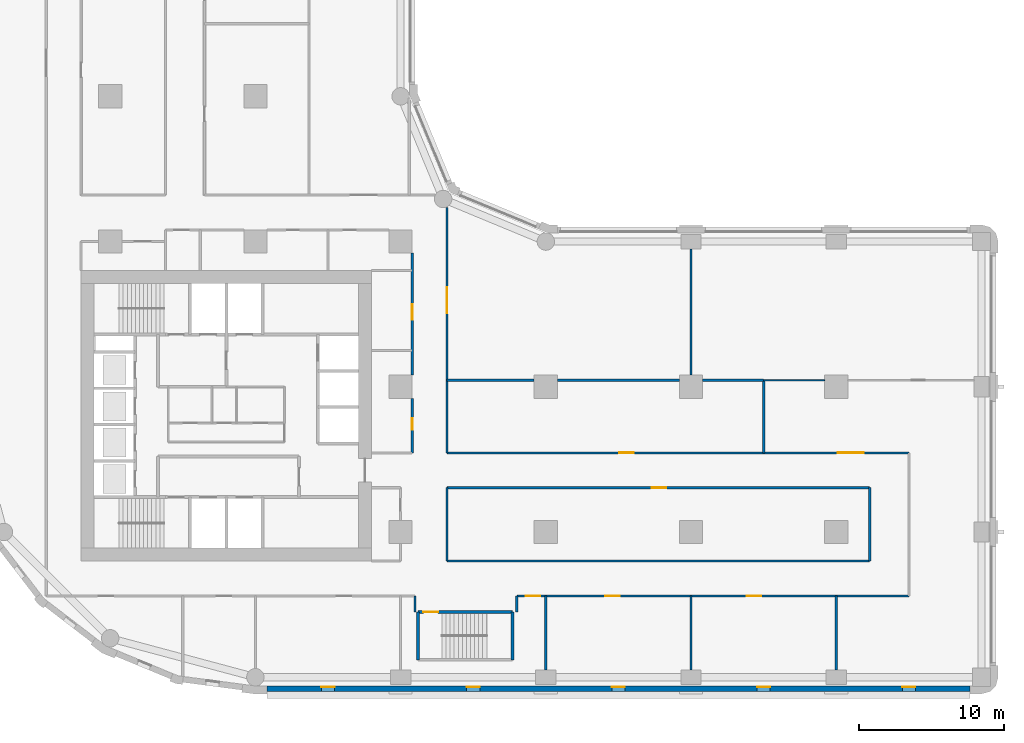
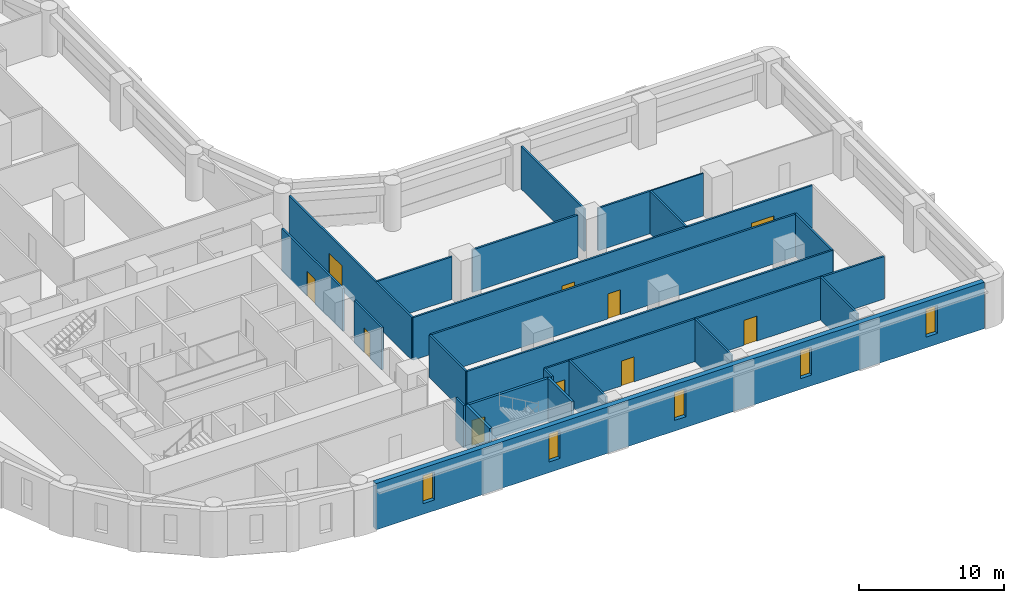
# One storey, part 4 of 10: 24 walls, 10 doors, 5 windows, 15 openings.
"""IFC4 building model written with IfcOpenShell, lengths in metres."""

from ifc_helpers import new_model, si_unit, direction, frame, frame_2d, origin, place, context, subcontext, project, spatial, rectangle, extrude, material, layer, layer_set, type_object, element, fill, save


model = new_model("IFC4")

# Units and contexts
model_context = context("Model", 3, precision=1e-05, world=origin(), true_north=direction((0.0, 1.0)))
body_context = subcontext(model_context, "Body", "Model", "MODEL_VIEW")
ifc_project = project(units=[si_unit("LENGTHUNIT", "METRE"), si_unit("AREAUNIT", "SQUARE_METRE"), si_unit("VOLUMEUNIT", "CUBIC_METRE"), si_unit("PLANEANGLEUNIT", "RADIAN"), si_unit("MASSUNIT", "GRAM", prefix="KILO")], contexts=[model_context])

# Site, building, storey
site_placement = place(None, origin())
site = spatial("IfcSite", under=ifc_project, at=site_placement, CompositionType="ELEMENT")
building_placement = place(site_placement, origin())
building = spatial("IfcBuilding", under=site, at=building_placement, Name="Qaws Garden Tower", CompositionType="ELEMENT")
storey_placement = place(building_placement, frame((0.0, 0.0, 109.5)))
storey = spatial("IfcBuildingStorey", under=building, at=storey_placement, Name="L27", CompositionType="ELEMENT", Elevation=109.5)

# Wall, openings, windows
ifc_material_1 = material(Name="Clay facing brick masonry", Category="masonry")
ifc_layer_1 = layer(ifc_material_1, 0.39990234375)
ifc_layer_set_1 = layer_set([ifc_layer_1], Name="Clay facing brick masonry")
wall_type_1 = type_object("IfcWallType", Name="Brick infill wall 400", PredefinedType="SOLIDWALL", material=ifc_layer_set_1)
wall_1_placement = place(storey_placement, frame((20.800048828125, -0.800048828125, 0.0), z_axis=(0.0, 0.0, 1.0), x_axis=(1.0, 0.0, 0.0)))
wall_1 = element("IfcWall", 1, at=wall_1_placement, inside=storey, type_object=wall_type_1, Name="E-L27-infill-00", PredefinedType="SOLIDWALL", context=body_context, shape_type="SweptSolid", body=[
    extrude(rectangle(XDim=48.39990234375, YDim=0.39990234375, at=frame_2d((24.199951171875, 0.0))), origin(), (0.0, 0.0, 1.0), 3.89990234375),
])
opening_1_placement = place(wall_1_placement, frame((3.75, 0.0, 0.89990234375)))
opening_1 = element("IfcOpeningElement", 2, at=opening_1_placement, cuts=wall_1, Name="Opening W09", PredefinedType="OPENING", context=body_context, shape_type="SweptSolid", body=[
    extrude(rectangle(XDim=0.89990234375, YDim=2.35009765625, at=frame_2d((0.449951171875, 1.175048828125))), frame((0.0, 0.2099609375, 0.0), z_axis=(0.0, -1.0, 0.0), x_axis=(1.0, 0.0, 0.0)), (0.0, 0.0, 1.0), 0.419921875),
])
opening_2_placement = place(wall_1_placement, frame((13.75, 0.0, 0.89990234375)))
opening_2 = element("IfcOpeningElement", 3, at=opening_2_placement, cuts=wall_1, Name="Opening W09", PredefinedType="OPENING", context=body_context, shape_type="SweptSolid", body=[
    extrude(rectangle(XDim=0.89990234375, YDim=2.35009765625, at=frame_2d((0.449951171875, 1.175048828125))), frame((0.0, 0.2099609375, 0.0), z_axis=(0.0, -1.0, 0.0), x_axis=(1.0, 0.0, 0.0)), (0.0, 0.0, 1.0), 0.419921875),
])
opening_3_placement = place(wall_1_placement, frame((23.75, 0.0, 0.89990234375)))
opening_3 = element("IfcOpeningElement", 4, at=opening_3_placement, cuts=wall_1, Name="Opening W09", PredefinedType="OPENING", context=body_context, shape_type="SweptSolid", body=[
    extrude(rectangle(XDim=0.89990234375, YDim=2.35009765625, at=frame_2d((0.449951171875, 1.175048828125))), frame((0.0, 0.2099609375, 0.0), z_axis=(0.0, -1.0, 0.0), x_axis=(1.0, 0.0, 0.0)), (0.0, 0.0, 1.0), 0.419921875),
])
opening_4_placement = place(wall_1_placement, frame((33.75, 0.0, 0.89990234375)))
opening_4 = element("IfcOpeningElement", 5, at=opening_4_placement, cuts=wall_1, Name="Opening W09", PredefinedType="OPENING", context=body_context, shape_type="SweptSolid", body=[
    extrude(rectangle(XDim=0.89990234375, YDim=2.35009765625, at=frame_2d((0.449951171875, 1.175048828125))), frame((0.0, 0.2099609375, 0.0), z_axis=(0.0, -1.0, 0.0), x_axis=(1.0, 0.0, 0.0)), (0.0, 0.0, 1.0), 0.419921875),
])
opening_5_placement = place(wall_1_placement, frame((43.75, 0.0, 0.89990234375)))
opening_5 = element("IfcOpeningElement", 6, at=opening_5_placement, cuts=wall_1, Name="Opening W09", PredefinedType="OPENING", context=body_context, shape_type="SweptSolid", body=[
    extrude(rectangle(XDim=0.89990234375, YDim=2.35009765625, at=frame_2d((0.449951171875, 1.175048828125))), frame((0.0, 0.2099609375, 0.0), z_axis=(0.0, -1.0, 0.0), x_axis=(1.0, 0.0, 0.0)), (0.0, 0.0, 1.0), 0.419921875),
])
ifc_material_2 = material(Name="Aluminium framed window, clear glazing", Category="aluminium")
window_type = type_object("IfcWindowType", Name="Slit window 900 x 2350", PartitioningType="SINGLE_PANEL", PredefinedType="WINDOW", material=ifc_material_2)
window_1_placement = place(opening_1_placement, origin())
window_1 = element("IfcWindow", 7, at=window_1_placement, inside=storey, type_object=window_type, Name="E-L27-window-00-0", OverallHeight=2.35009765625, OverallWidth=0.89990234375, PartitioningType="SINGLE_PANEL", PredefinedType="WINDOW", context=body_context, shape_type="SweptSolid", body=[
    extrude(rectangle(XDim=0.89990234375, YDim=2.35009765625, at=frame_2d((0.449951171875, 1.175048828125))), frame((0.0, 0.159912109375, 0.0), z_axis=(0.0, -1.0, 0.0), x_axis=(1.0, 0.0, 0.0)), (0.0, 0.0, 1.0), 0.06005859375),
])
fill(opening_1, window_1)
window_2_placement = place(opening_2_placement, origin())
window_2 = element("IfcWindow", 8, at=window_2_placement, inside=storey, type_object=window_type, Name="E-L27-window-01-0", OverallHeight=2.35009765625, OverallWidth=0.89990234375, PartitioningType="SINGLE_PANEL", PredefinedType="WINDOW", context=body_context, shape_type="SweptSolid", body=[
    extrude(rectangle(XDim=0.89990234375, YDim=2.35009765625, at=frame_2d((0.449951171875, 1.175048828125))), frame((0.0, 0.159912109375, 0.0), z_axis=(0.0, -1.0, 0.0), x_axis=(1.0, 0.0, 0.0)), (0.0, 0.0, 1.0), 0.06005859375),
])
fill(opening_2, window_2)
window_3_placement = place(opening_3_placement, origin())
window_3 = element("IfcWindow", 9, at=window_3_placement, inside=storey, type_object=window_type, Name="E-L27-window-02-0", OverallHeight=2.35009765625, OverallWidth=0.89990234375, PartitioningType="SINGLE_PANEL", PredefinedType="WINDOW", context=body_context, shape_type="SweptSolid", body=[
    extrude(rectangle(XDim=0.89990234375, YDim=2.35009765625, at=frame_2d((0.449951171875, 1.175048828125))), frame((0.0, 0.159912109375, 0.0), z_axis=(0.0, -1.0, 0.0), x_axis=(1.0, 0.0, 0.0)), (0.0, 0.0, 1.0), 0.06005859375),
])
fill(opening_3, window_3)
window_4_placement = place(opening_4_placement, origin())
window_4 = element("IfcWindow", 10, at=window_4_placement, inside=storey, type_object=window_type, Name="E-L27-window-03-0", OverallHeight=2.35009765625, OverallWidth=0.89990234375, PartitioningType="SINGLE_PANEL", PredefinedType="WINDOW", context=body_context, shape_type="SweptSolid", body=[
    extrude(rectangle(XDim=0.89990234375, YDim=2.35009765625, at=frame_2d((0.449951171875, 1.175048828125))), frame((0.0, 0.159912109375, 0.0), z_axis=(0.0, -1.0, 0.0), x_axis=(1.0, 0.0, 0.0)), (0.0, 0.0, 1.0), 0.06005859375),
])
fill(opening_4, window_4)
window_5_placement = place(opening_5_placement, origin())
window_5 = element("IfcWindow", 11, at=window_5_placement, inside=storey, type_object=window_type, Name="E-L27-window-04-0", OverallHeight=2.35009765625, OverallWidth=0.89990234375, PartitioningType="SINGLE_PANEL", PredefinedType="WINDOW", context=body_context, shape_type="SweptSolid", body=[
    extrude(rectangle(XDim=0.89990234375, YDim=2.35009765625, at=frame_2d((0.449951171875, 1.175048828125))), frame((0.0, 0.159912109375, 0.0), z_axis=(0.0, -1.0, 0.0), x_axis=(1.0, 0.0, 0.0)), (0.0, 0.0, 1.0), 0.06005859375),
])
fill(opening_5, window_5)

# Wall, opening, door
ifc_material_3 = material(Name="Concrete C80", Category="concrete")
ifc_layer_2 = layer(ifc_material_3, 0.199951171875)
ifc_layer_set_2 = layer_set([ifc_layer_2], Name="Concrete C80")
wall_type_2 = type_object("IfcWallType", Name="Core shaft wall 200 C80", PredefinedType="SHEAR", material=ifc_layer_set_2)
wall_2_placement = place(storey_placement, frame((31.199951171875, 4.5, 0.0), z_axis=(0.0, 0.0, 1.0), x_axis=(1.0, 0.0, 0.0)))
wall_2 = element("IfcWall", 12, at=wall_2_placement, inside=storey, type_object=wall_type_2, Name="Shaft wall", PredefinedType="SHEAR", context=body_context, shape_type="SweptSolid", body=[
    extrude(rectangle(XDim=6.5, YDim=0.199951171875, at=frame_2d((3.25, 0.0))), origin(), (0.0, 0.0, 1.0), 3.580078125),
])
opening_6_placement = place(wall_2_placement, frame((0.375, 0.0, 0.0)))
opening_6 = element("IfcOpeningElement", 13, at=opening_6_placement, cuts=wall_2, Name="Opening SD12", PredefinedType="OPENING", context=body_context, shape_type="SweptSolid", body=[
    extrude(rectangle(XDim=1.0, YDim=2.10009765625, at=frame_2d((0.5, 1.050048828125))), frame((0.0, 0.10986328125, 0.0), z_axis=(0.0, -1.0, 0.0), x_axis=(1.0, 0.0, 0.0)), (0.0, 0.0, 1.0), 0.219970703125),
])
ifc_material_4 = material(Name="Steel S235", Category="steel")
door_type_1 = type_object("IfcDoorType", Name="Stair door 1000x2100", OperationType="SINGLE_SWING_RIGHT", PredefinedType="DOOR", material=ifc_material_4)
door_1_placement = place(opening_6_placement, frame((1.0, 0.0, 0.0), z_axis=(0.0, 0.0, 1.0), x_axis=(-1.0, 0.0, 0.0)))
door_1 = element("IfcDoor", 14, at=door_1_placement, inside=storey, type_object=door_type_1, Name="Stair 5 door", OperationType="SINGLE_SWING_RIGHT", OverallHeight=2.10009765625, OverallWidth=1.0, PredefinedType="DOOR", context=body_context, shape_type="SweptSolid", body=[
    extrude(rectangle(XDim=1.0, YDim=2.10009765625, at=frame_2d((0.5, 1.050048828125))), frame((0.0, 0.02490234375, 0.0), z_axis=(0.0, -1.0, 0.0), x_axis=(1.0, 0.0, 0.0)), (0.0, 0.0, 1.0), 0.050048828125),
])
fill(opening_6, door_1)

# Walls
for number, where, z_axis, x_axis, name in (
    (15, (31.199951171875, 1.199951171875, 0.0), (0.0, 0.0, 1.0), (0.0, 1.0, 0.0), "Shaft wall"),
    (16, (37.699951171875, 1.199951171875, 0.0), (0.0, 0.0, 1.0), (0.0, 1.0, 0.0), "Shaft wall"),
):
    element("IfcWall", number, at=place(storey_placement, frame(where, z_axis=z_axis, x_axis=x_axis)), inside=storey, type_object=wall_type_2, Name=name, PredefinedType="SHEAR", context=body_context, shape_type="SweptSolid", body=[
        extrude(rectangle(XDim=3.300048828125, YDim=0.199951171875, at=frame_2d((1.64990234375, 0.0))), origin(), (0.0, 0.0, 1.0), 3.580078125),
    ])
ifc_material_5 = material(Name="Gypsum board partition")
ifc_layer_3 = layer(ifc_material_5, 0.10009765625)
ifc_layer_set_3 = layer_set([ifc_layer_3], Name="Gypsum board partition")
wall_type_3 = type_object("IfcWallType", Name="PARTITION 100", PredefinedType="PARTITIONING", material=ifc_layer_set_3)
wall_3_placement = place(storey_placement, frame((55.0, 20.449951171875, 0.0), z_axis=(0.0, 0.0, 1.0), x_axis=(1.0, 0.0, 0.0)))
element("IfcWall", 17, at=wall_3_placement, inside=storey, type_object=wall_type_3, Name="O-L27-wall-002", PredefinedType="PARTITIONING", context=body_context, shape_type="SweptSolid", body=[
    extrude(rectangle(XDim=4.199951171875, YDim=0.10009765625, at=frame_2d((2.10009765625, 0.0))), origin(), (0.0, 0.0, 1.0), 3.580078125),
])

# Wall, opening, door
ifc_material_6 = material(Name="Gypsum board partition")
ifc_layer_4 = layer(ifc_material_6, 0.14990234375)
ifc_layer_set_4 = layer_set([ifc_layer_4], Name="Gypsum board partition")
wall_type_4 = type_object("IfcWallType", Name="PARTITION 150 EI 60", PredefinedType="PARTITIONING", material=ifc_layer_set_4)
wall_4_placement = place(storey_placement, frame((30.800048828125, 15.449951171875, 0.0), z_axis=(0.0, 0.0, 1.0), x_axis=(0.0, 1.0, 0.0)))
wall_4 = element("IfcWall", 18, at=wall_4_placement, inside=storey, type_object=wall_type_4, Name="O-L27-wall-023", PredefinedType="PARTITIONING", context=body_context, shape_type="SweptSolid", body=[
    extrude(rectangle(XDim=3.75, YDim=0.14990234375, at=frame_2d((1.875, 0.0))), origin(), (0.0, 0.0, 1.0), 3.580078125),
])
opening_7_placement = place(wall_4_placement, frame((1.60009765625, 0.0, 0.0)))
opening_7 = element("IfcOpeningElement", 19, at=opening_7_placement, cuts=wall_4, Name="Opening A905", PredefinedType="OPENING", context=body_context, shape_type="SweptSolid", body=[
    extrude(rectangle(XDim=0.800048828125, YDim=2.10009765625, at=frame_2d((0.39990234375, 1.050048828125))), frame((0.0, 0.0849609375, 0.0), z_axis=(0.0, -1.0, 0.0), x_axis=(1.0, 0.0, 0.0)), (0.0, 0.0, 1.0), 0.169921875),
])
ifc_material_7 = material(Name="Timber door leaf", Category="wood")
door_type_2 = type_object("IfcDoorType", Name="STORE DOOR 800 X 2100", OperationType="SINGLE_SWING_LEFT", PredefinedType="DOOR", material=ifc_material_7)
door_2_placement = place(opening_7_placement, origin())
door_2 = element("IfcDoor", 20, at=door_2_placement, inside=storey, type_object=door_type_2, Name="O-L27-door-005", OperationType="SINGLE_SWING_RIGHT", OverallHeight=2.10009765625, OverallWidth=0.800048828125, PredefinedType="DOOR", context=body_context, shape_type="SweptSolid", body=[
    extrude(rectangle(XDim=0.800048828125, YDim=2.10009765625, at=frame_2d((0.39990234375, 1.050048828125))), frame((0.0, 0.02490234375, 0.0), z_axis=(0.0, -1.0, 0.0), x_axis=(1.0, 0.0, 0.0)), (0.0, 0.0, 1.0), 0.050048828125),
])
fill(opening_7, door_2)

wall_5_placement = place(storey_placement, frame((30.800048828125, 20.800048828125, 0.0), z_axis=(0.0, 0.0, 1.0), x_axis=(0.0, 1.0, 0.0)))
wall_5 = element("IfcWall", 21, at=wall_5_placement, inside=storey, type_object=wall_type_4, Name="O-L27-wall-024", PredefinedType="PARTITIONING", context=body_context, shape_type="SweptSolid", body=[
    extrude(rectangle(XDim=8.39990234375, YDim=0.14990234375, at=frame_2d((4.199951171875, 0.0))), origin(), (0.0, 0.0, 1.0), 3.580078125),
])
opening_8_placement = place(wall_5_placement, frame((3.800048828125, 0.0, 0.0)))
opening_8 = element("IfcOpeningElement", 22, at=opening_8_placement, cuts=wall_5, Name="Opening A906", PredefinedType="OPENING", context=body_context, shape_type="SweptSolid", body=[
    extrude(rectangle(XDim=1.10009765625, YDim=2.10009765625, at=frame_2d((0.550048828125, 1.050048828125))), frame((0.0, 0.0849609375, 0.0), z_axis=(0.0, -1.0, 0.0), x_axis=(1.0, 0.0, 0.0)), (0.0, 0.0, 1.0), 0.169921875),
])
ifc_material_8 = material(Name="Timber door leaf", Category="wood")
door_type_3 = type_object("IfcDoorType", Name="SERVICE ROOM DOOR 1100 X 2100", OperationType="SINGLE_SWING_LEFT", PredefinedType="DOOR", material=ifc_material_8)
door_3_placement = place(opening_8_placement, origin())
door_3 = element("IfcDoor", 23, at=door_3_placement, inside=storey, type_object=door_type_3, Name="O-L27-door-006", OperationType="SINGLE_SWING_RIGHT", OverallHeight=2.10009765625, OverallWidth=1.10009765625, PredefinedType="DOOR", context=body_context, shape_type="SweptSolid", body=[
    extrude(rectangle(XDim=1.10009765625, YDim=2.10009765625, at=frame_2d((0.550048828125, 1.050048828125))), frame((0.0, 0.02490234375, 0.0), z_axis=(0.0, -1.0, 0.0), x_axis=(1.0, 0.0, 0.0)), (0.0, 0.0, 1.0), 0.050048828125),
])
fill(opening_8, door_3)

# Walls
wall_6_placement = place(storey_placement, frame((31.0, 4.5, 0.0), z_axis=(0.0, 0.0, 1.0), x_axis=(0.0, 1.0, 0.0)))
element("IfcWall", 24, at=wall_6_placement, inside=storey, type_object=wall_type_4, Name="O-L27-wall-025", PredefinedType="PARTITIONING", context=body_context, shape_type="SweptSolid", body=[
    extrude(rectangle(XDim=1.10009765625, YDim=0.14990234375, at=frame_2d((0.550048828125, 0.0))), origin(), (0.0, 0.0, 1.0), 3.580078125),
])
wall_7_placement = place(storey_placement, frame((33.199951171875, 8.0, 0.0), z_axis=(0.0, 0.0, 1.0), x_axis=(0.0, 1.0, 0.0)))
element("IfcWall", 25, at=wall_7_placement, inside=storey, type_object=wall_type_4, Name="O-L27-wall-026", PredefinedType="PARTITIONING", context=body_context, shape_type="SweptSolid", body=[
    extrude(rectangle(XDim=5.050048828125, YDim=0.14990234375, at=frame_2d((2.52490234375, 0.0))), origin(), (0.0, 0.0, 1.0), 3.580078125),
])

# Wall, opening, door
wall_8_placement = place(storey_placement, frame((33.199951171875, 15.449951171875, 0.0), z_axis=(0.0, 0.0, 1.0), x_axis=(0.0, 1.0, 0.0)))
wall_8 = element("IfcWall", 26, at=wall_8_placement, inside=storey, type_object=wall_type_4, Name="O-L27-wall-027", PredefinedType="PARTITIONING", context=body_context, shape_type="SweptSolid", body=[
    extrude(rectangle(XDim=16.912109375, YDim=0.14990234375, at=frame_2d((8.4560546875, 0.0))), origin(), (0.0, 0.0, 1.0), 3.580078125),
])
opening_9_placement = place(wall_8_placement, frame((9.60009765625, 0.0, 0.0)))
opening_9 = element("IfcOpeningElement", 27, at=opening_9_placement, cuts=wall_8, Name="Opening A903", PredefinedType="OPENING", context=body_context, shape_type="SweptSolid", body=[
    extrude(rectangle(XDim=1.800048828125, YDim=2.10009765625, at=frame_2d((0.89990234375, 1.050048828125))), frame((0.0, 0.0849609375, 0.0), z_axis=(0.0, -1.0, 0.0), x_axis=(1.0, 0.0, 0.0)), (0.0, 0.0, 1.0), 0.169921875),
])
ifc_material_9 = material(Name="Timber door leaf", Category="wood")
door_type_4 = type_object("IfcDoorType", Name="DOUBLE DOOR 1800 X 2100", OperationType="DOUBLE_DOOR_SINGLE_SWING", PredefinedType="DOOR", material=ifc_material_9)
door_4_placement = place(opening_9_placement, frame((1.800048828125, 0.0, 0.0), z_axis=(0.0, 0.0, 1.0), x_axis=(-1.0, 0.0, 0.0)))
door_4 = element("IfcDoor", 28, at=door_4_placement, inside=storey, type_object=door_type_4, Name="O-L27-door-003", OperationType="DOUBLE_DOOR_SINGLE_SWING", OverallHeight=2.10009765625, OverallWidth=1.800048828125, PredefinedType="DOOR", context=body_context, shape_type="SweptSolid", body=[
    extrude(rectangle(XDim=1.800048828125, YDim=2.10009765625, at=frame_2d((0.89990234375, 1.050048828125))), frame((0.0, 0.02490234375, 0.0), z_axis=(0.0, -1.0, 0.0), x_axis=(1.0, 0.0, 0.0)), (0.0, 0.0, 1.0), 0.050048828125),
])
fill(opening_9, door_4)

# Walls
wall_9_placement = place(storey_placement, frame((38.0, 4.5, 0.0), z_axis=(0.0, 0.0, 1.0), x_axis=(0.0, 1.0, 0.0)))
element("IfcWall", 29, at=wall_9_placement, inside=storey, type_object=wall_type_4, Name="O-L27-wall-028", PredefinedType="PARTITIONING", context=body_context, shape_type="SweptSolid", body=[
    extrude(rectangle(XDim=1.10009765625, YDim=0.14990234375, at=frame_2d((0.550048828125, 0.0))), origin(), (0.0, 0.0, 1.0), 3.580078125),
])
for number, where, z_axis, x_axis, name in (
    (30, (40.0, 0.5, 0.0), (0.0, 0.0, 1.0), (0.0, 1.0, 0.0), "O-L27-wall-029"),
    (31, (50.0, 0.5, 0.0), (0.0, 0.0, 1.0), (0.0, 1.0, 0.0), "O-L27-wall-030"),
):
    element("IfcWall", number, at=place(storey_placement, frame(where, z_axis=z_axis, x_axis=x_axis)), inside=storey, type_object=wall_type_4, Name=name, PredefinedType="PARTITIONING", context=body_context, shape_type="SweptSolid", body=[
        extrude(rectangle(XDim=5.10009765625, YDim=0.14990234375, at=frame_2d((2.550048828125, 0.0))), origin(), (0.0, 0.0, 1.0), 3.580078125),
    ])
wall_10_placement = place(storey_placement, frame((50.0, 20.800048828125, 0.0), z_axis=(0.0, 0.0, 1.0), x_axis=(0.0, 1.0, 0.0)))
element("IfcWall", 32, at=wall_10_placement, inside=storey, type_object=wall_type_4, Name="O-L27-wall-031", PredefinedType="PARTITIONING", context=body_context, shape_type="SweptSolid", body=[
    extrude(rectangle(XDim=8.699951171875, YDim=0.14990234375, at=frame_2d((4.35009765625, 0.0))), origin(), (0.0, 0.0, 1.0), 3.580078125),
])
wall_11_placement = place(storey_placement, frame((55.0, 15.449951171875, 0.0), z_axis=(0.0, 0.0, 1.0), x_axis=(0.0, 1.0, 0.0)))
element("IfcWall", 33, at=wall_11_placement, inside=storey, type_object=wall_type_4, Name="O-L27-wall-032", PredefinedType="PARTITIONING", context=body_context, shape_type="SweptSolid", body=[
    extrude(rectangle(XDim=5.0, YDim=0.14990234375, at=frame_2d((2.5, 0.0))), origin(), (0.0, 0.0, 1.0), 3.580078125),
])
wall_12_placement = place(storey_placement, frame((60.0, 0.5, 0.0), z_axis=(0.0, 0.0, 1.0), x_axis=(0.0, 1.0, 0.0)))
element("IfcWall", 34, at=wall_12_placement, inside=storey, type_object=wall_type_4, Name="O-L27-wall-033", PredefinedType="PARTITIONING", context=body_context, shape_type="SweptSolid", body=[
    extrude(rectangle(XDim=5.10009765625, YDim=0.14990234375, at=frame_2d((2.550048828125, 0.0))), origin(), (0.0, 0.0, 1.0), 3.580078125),
])
wall_13_placement = place(storey_placement, frame((62.300048828125, 8.0, 0.0), z_axis=(0.0, 0.0, 1.0), x_axis=(0.0, 1.0, 0.0)))
element("IfcWall", 35, at=wall_13_placement, inside=storey, type_object=wall_type_4, Name="O-L27-wall-034", PredefinedType="PARTITIONING", context=body_context, shape_type="SweptSolid", body=[
    extrude(rectangle(XDim=5.050048828125, YDim=0.14990234375, at=frame_2d((2.52490234375, 0.0))), origin(), (0.0, 0.0, 1.0), 3.580078125),
])

# Wall, openings, doors
wall_14_placement = place(storey_placement, frame((38.0, 5.60009765625, 0.0), z_axis=(0.0, 0.0, 1.0), x_axis=(1.0, 0.0, 0.0)))
wall_14 = element("IfcWall", 36, at=wall_14_placement, inside=storey, type_object=wall_type_4, Name="O-L27-wall-037", PredefinedType="PARTITIONING", context=body_context, shape_type="SweptSolid", body=[
    extrude(rectangle(XDim=27.0, YDim=0.14990234375, at=frame_2d((13.5, 0.0))), origin(), (0.0, 0.0, 1.0), 3.580078125),
])
opening_10_placement = place(wall_14_placement, frame((0.60009765625, 0.0, 0.0)))
opening_10 = element("IfcOpeningElement", 37, at=opening_10_placement, cuts=wall_14, Name="Opening A921", PredefinedType="OPENING", context=body_context, shape_type="SweptSolid", body=[
    extrude(rectangle(XDim=1.0, YDim=2.10009765625, at=frame_2d((0.5, 1.050048828125))), frame((0.0, 0.0849609375, 0.0), z_axis=(0.0, -1.0, 0.0), x_axis=(1.0, 0.0, 0.0)), (0.0, 0.0, 1.0), 0.169921875),
])
opening_11_placement = place(wall_14_placement, frame((6.10009765625, 0.0, 0.0)))
opening_11 = element("IfcOpeningElement", 38, at=opening_11_placement, cuts=wall_14, Name="Opening A922", PredefinedType="OPENING", context=body_context, shape_type="SweptSolid", body=[
    extrude(rectangle(XDim=1.0, YDim=2.10009765625, at=frame_2d((0.5, 1.050048828125))), frame((0.0, 0.0849609375, 0.0), z_axis=(0.0, -1.0, 0.0), x_axis=(1.0, 0.0, 0.0)), (0.0, 0.0, 1.0), 0.169921875),
])
opening_12_placement = place(wall_14_placement, frame((15.85009765625, 0.0, 0.0)))
opening_12 = element("IfcOpeningElement", 39, at=opening_12_placement, cuts=wall_14, Name="Opening A923", PredefinedType="OPENING", context=body_context, shape_type="SweptSolid", body=[
    extrude(rectangle(XDim=1.0, YDim=2.10009765625, at=frame_2d((0.5, 1.050048828125))), frame((0.0, 0.0849609375, 0.0), z_axis=(0.0, -1.0, 0.0), x_axis=(1.0, 0.0, 0.0)), (0.0, 0.0, 1.0), 0.169921875),
])
ifc_material_10 = material(Name="Timber door leaf", Category="wood")
door_type_5 = type_object("IfcDoorType", Name="TENANCY ENTRANCE DOOR 1000 X 2100", OperationType="SINGLE_SWING_LEFT", PredefinedType="DOOR", material=ifc_material_10)
door_5_placement = place(opening_10_placement, frame((1.0, 0.0, 0.0), z_axis=(0.0, 0.0, 1.0), x_axis=(-1.0, 0.0, 0.0)))
door_5 = element("IfcDoor", 40, at=door_5_placement, inside=storey, type_object=door_type_5, Name="O-L27-door-021", OperationType="SINGLE_SWING_LEFT", OverallHeight=2.10009765625, OverallWidth=1.0, PredefinedType="DOOR", context=body_context, shape_type="SweptSolid", body=[
    extrude(rectangle(XDim=1.0, YDim=2.10009765625, at=frame_2d((0.5, 1.050048828125))), frame((0.0, 0.02490234375, 0.0), z_axis=(0.0, -1.0, 0.0), x_axis=(1.0, 0.0, 0.0)), (0.0, 0.0, 1.0), 0.050048828125),
])
fill(opening_10, door_5)
door_6_placement = place(opening_11_placement, frame((1.0, 0.0, 0.0), z_axis=(0.0, 0.0, 1.0), x_axis=(-1.0, 0.0, 0.0)))
door_6 = element("IfcDoor", 41, at=door_6_placement, inside=storey, type_object=door_type_5, Name="O-L27-door-022", OperationType="SINGLE_SWING_RIGHT", OverallHeight=2.10009765625, OverallWidth=1.0, PredefinedType="DOOR", context=body_context, shape_type="SweptSolid", body=[
    extrude(rectangle(XDim=1.0, YDim=2.10009765625, at=frame_2d((0.5, 1.050048828125))), frame((0.0, 0.02490234375, 0.0), z_axis=(0.0, -1.0, 0.0), x_axis=(1.0, 0.0, 0.0)), (0.0, 0.0, 1.0), 0.050048828125),
])
fill(opening_11, door_6)
door_7_placement = place(opening_12_placement, frame((1.0, 0.0, 0.0), z_axis=(0.0, 0.0, 1.0), x_axis=(-1.0, 0.0, 0.0)))
door_7 = element("IfcDoor", 42, at=door_7_placement, inside=storey, type_object=door_type_5, Name="O-L27-door-023", OperationType="SINGLE_SWING_RIGHT", OverallHeight=2.10009765625, OverallWidth=1.0, PredefinedType="DOOR", context=body_context, shape_type="SweptSolid", body=[
    extrude(rectangle(XDim=1.0, YDim=2.10009765625, at=frame_2d((0.5, 1.050048828125))), frame((0.0, 0.02490234375, 0.0), z_axis=(0.0, -1.0, 0.0), x_axis=(1.0, 0.0, 0.0)), (0.0, 0.0, 1.0), 0.050048828125),
])
fill(opening_12, door_7)

# Wall
wall_15_placement = place(storey_placement, frame((33.199951171875, 8.0, 0.0), z_axis=(0.0, 0.0, 1.0), x_axis=(1.0, 0.0, 0.0)))
element("IfcWall", 43, at=wall_15_placement, inside=storey, type_object=wall_type_4, Name="O-L27-wall-039", PredefinedType="PARTITIONING", context=body_context, shape_type="SweptSolid", body=[
    extrude(rectangle(XDim=29.10009765625, YDim=0.14990234375, at=frame_2d((14.550048828125, 0.0))), origin(), (0.0, 0.0, 1.0), 3.580078125),
])

# Wall, opening, door
wall_16_placement = place(storey_placement, frame((33.199951171875, 13.050048828125, 0.0), z_axis=(0.0, 0.0, 1.0), x_axis=(1.0, 0.0, 0.0)))
wall_16 = element("IfcWall", 44, at=wall_16_placement, inside=storey, type_object=wall_type_4, Name="O-L27-wall-041", PredefinedType="PARTITIONING", context=body_context, shape_type="SweptSolid", body=[
    extrude(rectangle(XDim=29.10009765625, YDim=0.14990234375, at=frame_2d((14.550048828125, 0.0))), origin(), (0.0, 0.0, 1.0), 3.580078125),
])
opening_13_placement = place(wall_16_placement, frame((14.10009765625, 0.0, 0.0)))
opening_13 = element("IfcOpeningElement", 45, at=opening_13_placement, cuts=wall_16, Name="Opening A924", PredefinedType="OPENING", context=body_context, shape_type="SweptSolid", body=[
    extrude(rectangle(XDim=1.0, YDim=2.10009765625, at=frame_2d((0.5, 1.050048828125))), frame((0.0, 0.0849609375, 0.0), z_axis=(0.0, -1.0, 0.0), x_axis=(1.0, 0.0, 0.0)), (0.0, 0.0, 1.0), 0.169921875),
])
door_8_placement = place(opening_13_placement, frame((1.0, 0.0, 0.0), z_axis=(0.0, 0.0, 1.0), x_axis=(-1.0, 0.0, 0.0)))
door_8 = element("IfcDoor", 46, at=door_8_placement, inside=storey, type_object=door_type_5, Name="O-L27-door-024", OperationType="SINGLE_SWING_RIGHT", OverallHeight=2.10009765625, OverallWidth=1.0, PredefinedType="DOOR", context=body_context, shape_type="SweptSolid", body=[
    extrude(rectangle(XDim=1.0, YDim=2.10009765625, at=frame_2d((0.5, 1.050048828125))), frame((0.0, 0.02490234375, 0.0), z_axis=(0.0, -1.0, 0.0), x_axis=(1.0, 0.0, 0.0)), (0.0, 0.0, 1.0), 0.050048828125),
])
fill(opening_13, door_8)

# Wall, openings, doors
wall_17_placement = place(storey_placement, frame((33.199951171875, 15.449951171875, 0.0), z_axis=(0.0, 0.0, 1.0), x_axis=(1.0, 0.0, 0.0)))
wall_17 = element("IfcWall", 47, at=wall_17_placement, inside=storey, type_object=wall_type_4, Name="O-L27-wall-043", PredefinedType="PARTITIONING", context=body_context, shape_type="SweptSolid", body=[
    extrude(rectangle(XDim=31.800048828125, YDim=0.14990234375, at=frame_2d((15.89990234375, 0.0))), origin(), (0.0, 0.0, 1.0), 3.580078125),
])
opening_14_placement = place(wall_17_placement, frame((11.85009765625, 0.0, 0.0)))
opening_14 = element("IfcOpeningElement", 48, at=opening_14_placement, cuts=wall_17, Name="Opening A925", PredefinedType="OPENING", context=body_context, shape_type="SweptSolid", body=[
    extrude(rectangle(XDim=1.0, YDim=2.10009765625, at=frame_2d((0.5, 1.050048828125))), frame((0.0, 0.0849609375, 0.0), z_axis=(0.0, -1.0, 0.0), x_axis=(1.0, 0.0, 0.0)), (0.0, 0.0, 1.0), 0.169921875),
])
opening_15_placement = place(wall_17_placement, frame((26.89990234375, 0.0, 0.0)))
opening_15 = element("IfcOpeningElement", 49, at=opening_15_placement, cuts=wall_17, Name="Opening A926", PredefinedType="OPENING", context=body_context, shape_type="SweptSolid", body=[
    extrude(rectangle(XDim=1.800048828125, YDim=2.10009765625, at=frame_2d((0.89990234375, 1.050048828125))), frame((0.0, 0.0849609375, 0.0), z_axis=(0.0, -1.0, 0.0), x_axis=(1.0, 0.0, 0.0)), (0.0, 0.0, 1.0), 0.169921875),
])
door_9_placement = place(opening_15_placement, origin())
door_9 = element("IfcDoor", 50, at=door_9_placement, inside=storey, type_object=door_type_4, Name="O-L27-door-026", OperationType="DOUBLE_DOOR_SINGLE_SWING", OverallHeight=2.10009765625, OverallWidth=1.800048828125, PredefinedType="DOOR", context=body_context, shape_type="SweptSolid", body=[
    extrude(rectangle(XDim=1.800048828125, YDim=2.10009765625, at=frame_2d((0.89990234375, 1.050048828125))), frame((0.0, 0.02490234375, 0.0), z_axis=(0.0, -1.0, 0.0), x_axis=(1.0, 0.0, 0.0)), (0.0, 0.0, 1.0), 0.050048828125),
])
fill(opening_15, door_9)
door_10_placement = place(opening_14_placement, origin())
door_10 = element("IfcDoor", 51, at=door_10_placement, inside=storey, type_object=door_type_5, Name="O-L27-door-025", OperationType="SINGLE_SWING_LEFT", OverallHeight=2.10009765625, OverallWidth=1.0, PredefinedType="DOOR", context=body_context, shape_type="SweptSolid", body=[
    extrude(rectangle(XDim=1.0, YDim=2.10009765625, at=frame_2d((0.5, 1.050048828125))), frame((0.0, 0.02490234375, 0.0), z_axis=(0.0, -1.0, 0.0), x_axis=(1.0, 0.0, 0.0)), (0.0, 0.0, 1.0), 0.050048828125),
])
fill(opening_14, door_10)

# Walls
wall_18_placement = place(storey_placement, frame((33.199951171875, 20.449951171875, 0.0), z_axis=(0.0, 0.0, 1.0), x_axis=(1.0, 0.0, 0.0)))
element("IfcWall", 52, at=wall_18_placement, inside=storey, type_object=wall_type_4, Name="O-L27-wall-044", PredefinedType="PARTITIONING", context=body_context, shape_type="SweptSolid", body=[
    extrude(rectangle(XDim=6.0, YDim=0.14990234375, at=frame_2d((3.0, 0.0))), origin(), (0.0, 0.0, 1.0), 3.580078125),
])
wall_19_placement = place(storey_placement, frame((40.800048828125, 20.449951171875, 0.0), z_axis=(0.0, 0.0, 1.0), x_axis=(1.0, 0.0, 0.0)))
element("IfcWall", 53, at=wall_19_placement, inside=storey, type_object=wall_type_4, Name="O-L27-wall-045", PredefinedType="PARTITIONING", context=body_context, shape_type="SweptSolid", body=[
    extrude(rectangle(XDim=8.39990234375, YDim=0.14990234375, at=frame_2d((4.199951171875, 0.0))), origin(), (0.0, 0.0, 1.0), 3.580078125),
])
wall_20_placement = place(storey_placement, frame((50.800048828125, 20.449951171875, 0.0), z_axis=(0.0, 0.0, 1.0), x_axis=(1.0, 0.0, 0.0)))
element("IfcWall", 54, at=wall_20_placement, inside=storey, type_object=wall_type_4, Name="O-L27-wall-046", PredefinedType="PARTITIONING", context=body_context, shape_type="SweptSolid", body=[
    extrude(rectangle(XDim=4.199951171875, YDim=0.14990234375, at=frame_2d((2.10009765625, 0.0))), origin(), (0.0, 0.0, 1.0), 3.580078125),
])

save(model, "model.ifc")
